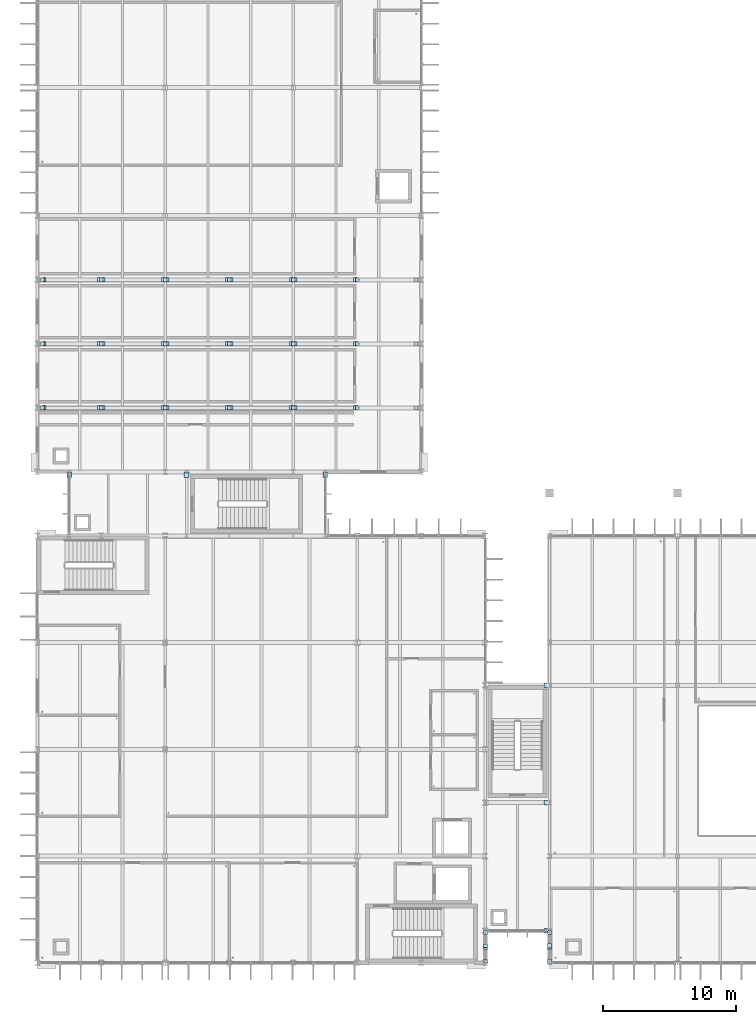
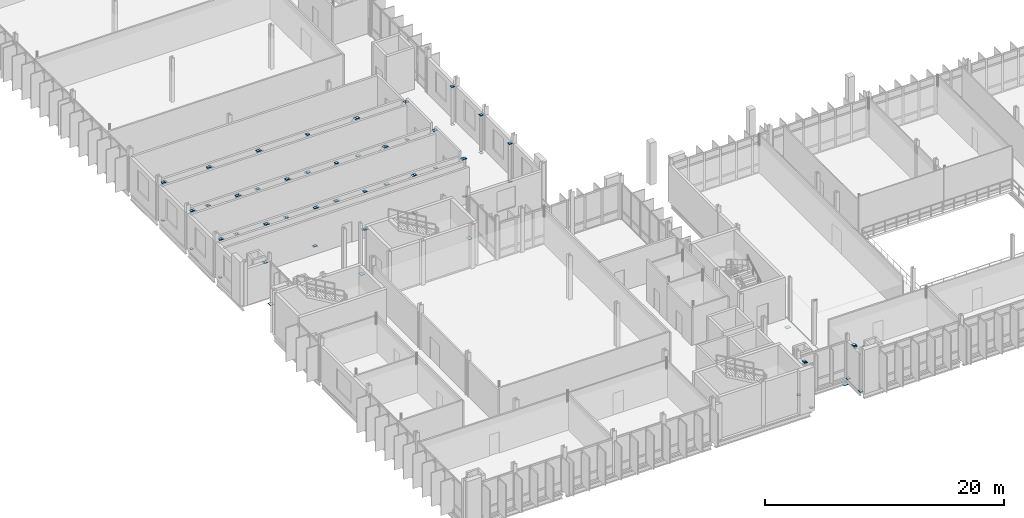
# One storey, part 59 of 110: 86 plates.
"""IFC4 building model written with IfcOpenShell, lengths in metres."""

from ifc_helpers import new_model, si_unit, direction, frame, origin, origin_2d, place, context, subcontext, project, spatial, rectangle, extrude, material, layer, layer_set, type_object, element, save


model = new_model("IFC4")

# Units and contexts
model_context = context("Model", 3, precision=1e-05, world=origin(), true_north=direction((0.0, 1.0)))
body_context = subcontext(model_context, "Body", "Model", "MODEL_VIEW")
ifc_project = project(units=[si_unit("LENGTHUNIT", "METRE"), si_unit("AREAUNIT", "SQUARE_METRE"), si_unit("VOLUMEUNIT", "CUBIC_METRE"), si_unit("PLANEANGLEUNIT", "RADIAN"), si_unit("MASSUNIT", "GRAM", prefix="KILO")], contexts=[model_context])

# Site, building, storey
site_placement = place(None, origin())
site = spatial("IfcSite", under=ifc_project, at=site_placement, CompositionType="ELEMENT")
building_placement = place(site_placement, origin())
building = spatial("IfcBuilding", under=site, at=building_placement, Name="Dunescarp Central Library", CompositionType="ELEMENT")
storey_placement = place(building_placement, frame((0.0, 0.0, 9.60009765625)))
storey = spatial("IfcBuildingStorey", under=building, at=storey_placement, Name="L02", CompositionType="ELEMENT", Elevation=9.60009765625)

# Plates
ifc_material = material(Name="Steel S355J0", Category="steel")
ifc_layer_1 = layer(ifc_material, 0.035888671875)
ifc_layer_set_1 = layer_set([ifc_layer_1], Name="Steel S355J0")
plate_type_1 = type_object("IfcPlateType", Name="STR-PLT-ECP1", PredefinedType="USERDEFINED", material=ifc_layer_set_1)
for number, where, z_axis, x_axis, name in (
    (1, (0.510009765625, 46.39990234375, 3.64404296875), (0.0, 0.0, 1.0), (1.0, 0.0, 0.0), "Truss diagonal end cap ECP-T015"),
    (2, (4.68994140625, 46.39990234375, -0.22998046875), (0.0, 0.0, 1.0), (1.0, 0.0, 0.0), "Truss diagonal end cap ECP-T016"),
    (3, (4.909912109375, 46.39990234375, 3.64404296875), (0.0, 0.0, 1.0), (1.0, 0.0, 0.0), "Truss diagonal end cap ECP-T017"),
    (4, (9.489990234375, 46.39990234375, -0.22998046875), (0.0, 0.0, 1.0), (1.0, 0.0, 0.0), "Truss diagonal end cap ECP-T018"),
    (5, (9.7099609375, 46.39990234375, 3.64404296875), (0.0, 0.0, 1.0), (1.0, 0.0, 0.0), "Truss diagonal end cap ECP-T019"),
    (6, (14.2900390625, 46.39990234375, -0.22998046875), (0.0, 0.0, 1.0), (1.0, 0.0, 0.0), "Truss diagonal end cap ECP-T020"),
    (7, (14.510009765625, 46.39990234375, -0.22998046875), (0.0, 0.0, 1.0), (1.0, 0.0, 0.0), "Truss diagonal end cap ECP-T021"),
    (8, (19.090087890625, 46.39990234375, 3.64404296875), (0.0, 0.0, 1.0), (1.0, 0.0, 0.0), "Truss diagonal end cap ECP-T022"),
    (9, (19.31005859375, 46.39990234375, -0.22998046875), (0.0, 0.0, 1.0), (1.0, 0.0, 0.0), "Truss diagonal end cap ECP-T023"),
    (10, (23.889892578125, 46.39990234375, 3.64404296875), (0.0, 0.0, 1.0), (1.0, 0.0, 0.0), "Truss diagonal end cap ECP-T024"),
    (11, (0.510009765625, 51.199951171875, 3.64404296875), (0.0, 0.0, 1.0), (1.0, 0.0, 0.0), "Truss diagonal end cap ECP-T039"),
    (12, (4.68994140625, 51.199951171875, -0.22998046875), (0.0, 0.0, 1.0), (1.0, 0.0, 0.0), "Truss diagonal end cap ECP-T040"),
    (13, (4.909912109375, 51.199951171875, 3.64404296875), (0.0, 0.0, 1.0), (1.0, 0.0, 0.0), "Truss diagonal end cap ECP-T041"),
    (14, (9.489990234375, 51.199951171875, -0.22998046875), (0.0, 0.0, 1.0), (1.0, 0.0, 0.0), "Truss diagonal end cap ECP-T042"),
    (15, (9.7099609375, 51.199951171875, 3.64404296875), (0.0, 0.0, 1.0), (1.0, 0.0, 0.0), "Truss diagonal end cap ECP-T043"),
    (16, (14.2900390625, 51.199951171875, -0.22998046875), (0.0, 0.0, 1.0), (1.0, 0.0, 0.0), "Truss diagonal end cap ECP-T044"),
    (17, (14.510009765625, 51.199951171875, -0.22998046875), (0.0, 0.0, 1.0), (1.0, 0.0, 0.0), "Truss diagonal end cap ECP-T045"),
    (18, (19.090087890625, 51.199951171875, 3.64404296875), (0.0, 0.0, 1.0), (1.0, 0.0, 0.0), "Truss diagonal end cap ECP-T046"),
    (19, (19.31005859375, 51.199951171875, -0.22998046875), (0.0, 0.0, 1.0), (1.0, 0.0, 0.0), "Truss diagonal end cap ECP-T047"),
    (20, (23.889892578125, 51.199951171875, 3.64404296875), (0.0, 0.0, 1.0), (1.0, 0.0, 0.0), "Truss diagonal end cap ECP-T048"),
    (21, (0.510009765625, 56.0, 3.64404296875), (0.0, 0.0, 1.0), (1.0, 0.0, 0.0), "Truss diagonal end cap ECP-T063"),
    (22, (4.68994140625, 56.0, -0.22998046875), (0.0, 0.0, 1.0), (1.0, 0.0, 0.0), "Truss diagonal end cap ECP-T064"),
    (23, (4.909912109375, 56.0, 3.64404296875), (0.0, 0.0, 1.0), (1.0, 0.0, 0.0), "Truss diagonal end cap ECP-T065"),
    (24, (9.489990234375, 56.0, -0.22998046875), (0.0, 0.0, 1.0), (1.0, 0.0, 0.0), "Truss diagonal end cap ECP-T066"),
    (25, (9.7099609375, 56.0, 3.64404296875), (0.0, 0.0, 1.0), (1.0, 0.0, 0.0), "Truss diagonal end cap ECP-T067"),
    (26, (14.2900390625, 56.0, -0.22998046875), (0.0, 0.0, 1.0), (1.0, 0.0, 0.0), "Truss diagonal end cap ECP-T068"),
    (27, (14.510009765625, 56.0, -0.22998046875), (0.0, 0.0, 1.0), (1.0, 0.0, 0.0), "Truss diagonal end cap ECP-T069"),
    (28, (19.090087890625, 56.0, 3.64404296875), (0.0, 0.0, 1.0), (1.0, 0.0, 0.0), "Truss diagonal end cap ECP-T070"),
    (29, (19.31005859375, 56.0, -0.22998046875), (0.0, 0.0, 1.0), (1.0, 0.0, 0.0), "Truss diagonal end cap ECP-T071"),
    (30, (23.889892578125, 56.0, 3.64404296875), (0.0, 0.0, 1.0), (1.0, 0.0, 0.0), "Truss diagonal end cap ECP-T072"),
):
    element("IfcPlate", number, at=place(storey_placement, frame(where, z_axis=z_axis, x_axis=x_axis)), inside=storey, type_object=plate_type_1, Name=name, ObjectType="GUSSET_PLATE", PredefinedType="USERDEFINED", context=body_context, shape_type="SweptSolid", body=[
        extrude(rectangle(XDim=0.3330078125, YDim=0.3330078125, at=origin_2d()), origin(), (0.0, 0.0, 1.0), 0.035888671875),
    ])
ifc_layer_2 = layer(ifc_material, 0.035888671875)
ifc_layer_set_2 = layer_set([ifc_layer_2], Name="Steel S355J0")
plate_type_2 = type_object("IfcPlateType", Name="STR-PLT-ECP2", PredefinedType="USERDEFINED", material=ifc_layer_set_2)
for number, where, z_axis, x_axis, name in (
    (31, (0.39990234375, 46.39990234375, -0.23291015625), (0.0, 0.0, 1.0), (1.0, 0.0, 0.0), "Truss web end cap ECP-T001"),
    (32, (0.39990234375, 46.39990234375, 3.64697265625), (0.0, 0.0, 1.0), (1.0, 0.0, 0.0), "Truss web end cap ECP-T002"),
    (33, (4.800048828125, 46.39990234375, -0.23291015625), (0.0, 0.0, 1.0), (1.0, 0.0, 0.0), "Truss web end cap ECP-T003"),
    (34, (4.800048828125, 46.39990234375, 3.64697265625), (0.0, 0.0, 1.0), (1.0, 0.0, 0.0), "Truss web end cap ECP-T004"),
    (35, (9.60009765625, 46.39990234375, -0.23291015625), (0.0, 0.0, 1.0), (1.0, 0.0, 0.0), "Truss web end cap ECP-T005"),
    (36, (9.60009765625, 46.39990234375, 3.64697265625), (0.0, 0.0, 1.0), (1.0, 0.0, 0.0), "Truss web end cap ECP-T006"),
    (37, (14.39990234375, 46.39990234375, -0.23291015625), (0.0, 0.0, 1.0), (1.0, 0.0, 0.0), "Truss web end cap ECP-T007"),
    (38, (14.39990234375, 46.39990234375, 3.64697265625), (0.0, 0.0, 1.0), (1.0, 0.0, 0.0), "Truss web end cap ECP-T008"),
    (39, (19.199951171875, 46.39990234375, -0.23291015625), (0.0, 0.0, 1.0), (1.0, 0.0, 0.0), "Truss web end cap ECP-T009"),
    (40, (19.199951171875, 46.39990234375, 3.64697265625), (0.0, 0.0, 1.0), (1.0, 0.0, 0.0), "Truss web end cap ECP-T010"),
    (41, (24.0, 46.39990234375, -0.23291015625), (0.0, 0.0, 1.0), (1.0, 0.0, 0.0), "Truss web end cap ECP-T011"),
    (42, (24.0, 46.39990234375, 3.64697265625), (0.0, 0.0, 1.0), (1.0, 0.0, 0.0), "Truss web end cap ECP-T012"),
    (43, (28.39990234375, 46.39990234375, -0.23291015625), (0.0, 0.0, 1.0), (1.0, 0.0, 0.0), "Truss web end cap ECP-T013"),
    (44, (28.39990234375, 46.39990234375, 3.64697265625), (0.0, 0.0, 1.0), (1.0, 0.0, 0.0), "Truss web end cap ECP-T014"),
    (45, (0.39990234375, 51.199951171875, -0.23291015625), (0.0, 0.0, 1.0), (1.0, 0.0, 0.0), "Truss web end cap ECP-T025"),
    (46, (0.39990234375, 51.199951171875, 3.64697265625), (0.0, 0.0, 1.0), (1.0, 0.0, 0.0), "Truss web end cap ECP-T026"),
    (47, (4.800048828125, 51.199951171875, -0.23291015625), (0.0, 0.0, 1.0), (1.0, 0.0, 0.0), "Truss web end cap ECP-T027"),
    (48, (4.800048828125, 51.199951171875, 3.64697265625), (0.0, 0.0, 1.0), (1.0, 0.0, 0.0), "Truss web end cap ECP-T028"),
    (49, (9.60009765625, 51.199951171875, -0.23291015625), (0.0, 0.0, 1.0), (1.0, 0.0, 0.0), "Truss web end cap ECP-T029"),
    (50, (9.60009765625, 51.199951171875, 3.64697265625), (0.0, 0.0, 1.0), (1.0, 0.0, 0.0), "Truss web end cap ECP-T030"),
    (51, (14.39990234375, 51.199951171875, -0.23291015625), (0.0, 0.0, 1.0), (1.0, 0.0, 0.0), "Truss web end cap ECP-T031"),
    (52, (14.39990234375, 51.199951171875, 3.64697265625), (0.0, 0.0, 1.0), (1.0, 0.0, 0.0), "Truss web end cap ECP-T032"),
    (53, (19.199951171875, 51.199951171875, -0.23291015625), (0.0, 0.0, 1.0), (1.0, 0.0, 0.0), "Truss web end cap ECP-T033"),
    (54, (19.199951171875, 51.199951171875, 3.64697265625), (0.0, 0.0, 1.0), (1.0, 0.0, 0.0), "Truss web end cap ECP-T034"),
    (55, (24.0, 51.199951171875, -0.23291015625), (0.0, 0.0, 1.0), (1.0, 0.0, 0.0), "Truss web end cap ECP-T035"),
    (56, (24.0, 51.199951171875, 3.64697265625), (0.0, 0.0, 1.0), (1.0, 0.0, 0.0), "Truss web end cap ECP-T036"),
    (57, (28.39990234375, 51.199951171875, -0.23291015625), (0.0, 0.0, 1.0), (1.0, 0.0, 0.0), "Truss web end cap ECP-T037"),
    (58, (28.39990234375, 51.199951171875, 3.64697265625), (0.0, 0.0, 1.0), (1.0, 0.0, 0.0), "Truss web end cap ECP-T038"),
    (59, (0.39990234375, 56.0, -0.23291015625), (0.0, 0.0, 1.0), (1.0, 0.0, 0.0), "Truss web end cap ECP-T049"),
    (60, (0.39990234375, 56.0, 3.64697265625), (0.0, 0.0, 1.0), (1.0, 0.0, 0.0), "Truss web end cap ECP-T050"),
    (61, (4.800048828125, 56.0, -0.23291015625), (0.0, 0.0, 1.0), (1.0, 0.0, 0.0), "Truss web end cap ECP-T051"),
    (62, (4.800048828125, 56.0, 3.64697265625), (0.0, 0.0, 1.0), (1.0, 0.0, 0.0), "Truss web end cap ECP-T052"),
    (63, (9.60009765625, 56.0, -0.23291015625), (0.0, 0.0, 1.0), (1.0, 0.0, 0.0), "Truss web end cap ECP-T053"),
    (64, (9.60009765625, 56.0, 3.64697265625), (0.0, 0.0, 1.0), (1.0, 0.0, 0.0), "Truss web end cap ECP-T054"),
    (65, (14.39990234375, 56.0, -0.23291015625), (0.0, 0.0, 1.0), (1.0, 0.0, 0.0), "Truss web end cap ECP-T055"),
    (66, (14.39990234375, 56.0, 3.64697265625), (0.0, 0.0, 1.0), (1.0, 0.0, 0.0), "Truss web end cap ECP-T056"),
    (67, (19.199951171875, 56.0, -0.23291015625), (0.0, 0.0, 1.0), (1.0, 0.0, 0.0), "Truss web end cap ECP-T057"),
    (68, (19.199951171875, 56.0, 3.64697265625), (0.0, 0.0, 1.0), (1.0, 0.0, 0.0), "Truss web end cap ECP-T058"),
    (69, (24.0, 56.0, -0.23291015625), (0.0, 0.0, 1.0), (1.0, 0.0, 0.0), "Truss web end cap ECP-T059"),
    (70, (24.0, 56.0, 3.64697265625), (0.0, 0.0, 1.0), (1.0, 0.0, 0.0), "Truss web end cap ECP-T060"),
    (71, (28.39990234375, 56.0, -0.23291015625), (0.0, 0.0, 1.0), (1.0, 0.0, 0.0), "Truss web end cap ECP-T061"),
    (72, (28.39990234375, 56.0, 3.64697265625), (0.0, 0.0, 1.0), (1.0, 0.0, 0.0), "Truss web end cap ECP-T062"),
):
    element("IfcPlate", number, at=place(storey_placement, frame(where, z_axis=z_axis, x_axis=x_axis)), inside=storey, type_object=plate_type_2, Name=name, ObjectType="GUSSET_PLATE", PredefinedType="USERDEFINED", context=body_context, shape_type="SweptSolid", body=[
        extrude(rectangle(XDim=0.279052734375, YDim=0.279052734375, at=origin_2d()), origin(), (0.0, 0.0, 1.0), 0.035888671875),
    ])
ifc_layer_3 = layer(ifc_material, 0.02001953125)
ifc_layer_set_3 = layer_set([ifc_layer_3], Name="Steel S355J0")
plate_type_3 = type_object("IfcPlateType", Name="STR-PLT-GUS1", PredefinedType="USERDEFINED", material=ifc_layer_set_3)
for number, where, z_axis, x_axis, name in (
    (73, (33.60009765625, 4.919921875, -0.01806640625), (0.0, 0.0, 1.0), (1.0, 0.0, 0.0), "Brace foot gusset plate GP-009"),
    (74, (33.60009765625, 7.080078125, -0.01806640625), (0.0, 0.0, 1.0), (1.0, 0.0, 0.0), "Brace foot gusset plate GP-011"),
):
    element("IfcPlate", number, at=place(storey_placement, frame(where, z_axis=z_axis, x_axis=x_axis)), inside=storey, type_object=plate_type_3, Name=name, ObjectType="GUSSET_PLATE", PredefinedType="USERDEFINED", context=body_context, shape_type="SweptSolid", body=[
        extrude(rectangle(XDim=0.279052734375, YDim=0.279052734375, at=origin_2d()), origin(), (0.0, 0.0, 1.0), 0.035888671875),
    ])
for number, where, z_axis, x_axis, name in (
    (75, (38.39990234375, 4.919921875, -0.01806640625), (0.0, 0.0, 1.0), (1.0, 0.0, 0.0), "Brace foot gusset plate GP-033"),
    (76, (38.39990234375, 7.080078125, -0.01806640625), (0.0, 0.0, 1.0), (1.0, 0.0, 0.0), "Brace foot gusset plate GP-035"),
):
    element("IfcPlate", number, at=place(storey_placement, frame(where, z_axis=z_axis, x_axis=x_axis)), inside=storey, type_object=plate_type_3, Name=name, ObjectType="GUSSET_PLATE", PredefinedType="USERDEFINED", context=body_context, shape_type="SweptSolid", body=[
        extrude(rectangle(XDim=0.303955078125, YDim=0.303955078125, at=origin_2d()), origin(), (0.0, 0.0, 1.0), 0.035888671875),
    ])
ifc_layer_4 = layer(ifc_material, 0.01611328125)
ifc_layer_set_4 = layer_set([ifc_layer_4], Name="Steel S355J0")
plate_type_4 = type_object("IfcPlateType", Name="STR-PLT-GUS2", PredefinedType="USERDEFINED", material=ifc_layer_set_4)
for number, where, z_axis, x_axis, name in (
    (77, (33.60009765625, 5.919921875, 4.001953125), (0.0, 0.0, 1.0), (1.0, 0.0, 0.0), "Brace apex gusset plate GP-010"),
    (78, (33.60009765625, 6.080078125, 4.001953125), (0.0, 0.0, 1.0), (1.0, 0.0, 0.0), "Brace apex gusset plate GP-012"),
):
    element("IfcPlate", number, at=place(storey_placement, frame(where, z_axis=z_axis, x_axis=x_axis)), inside=storey, type_object=plate_type_4, Name=name, ObjectType="GUSSET_PLATE", PredefinedType="USERDEFINED", context=body_context, shape_type="SweptSolid", body=[
        extrude(rectangle(XDim=0.279052734375, YDim=0.279052734375, at=origin_2d()), origin(), (0.0, 0.0, 1.0), 0.035888671875),
    ])
for number, where, z_axis, x_axis, name in (
    (79, (38.39990234375, 5.919921875, 4.001953125), (0.0, 0.0, 1.0), (1.0, 0.0, 0.0), "Brace apex gusset plate GP-034"),
    (80, (38.39990234375, 6.080078125, 4.001953125), (0.0, 0.0, 1.0), (1.0, 0.0, 0.0), "Brace apex gusset plate GP-036"),
):
    element("IfcPlate", number, at=place(storey_placement, frame(where, z_axis=z_axis, x_axis=x_axis)), inside=storey, type_object=plate_type_4, Name=name, ObjectType="GUSSET_PLATE", PredefinedType="USERDEFINED", context=body_context, shape_type="SweptSolid", body=[
        extrude(rectangle(XDim=0.303955078125, YDim=0.303955078125, at=origin_2d()), origin(), (0.0, 0.0, 1.0), 0.035888671875),
    ])
ifc_layer_5 = layer(ifc_material, 0.0400390625)
ifc_layer_set_5 = layer_set([ifc_layer_5], Name="Steel S355J0")
plate_type_5 = type_object("IfcPlateType", Name="STR-PLT-SEAT420", PredefinedType="USERDEFINED", material=ifc_layer_set_5)
for number, where, z_axis, x_axis, name in (
    (81, (38.18994140625, 7.199951171875, -0.64013671875), (0.0, 0.0, 1.0), (1.0, 0.0, 0.0), "L02 GL1 420 mm sliding link bearing seat BRG-01"),
    (82, (38.18994140625, 16.800048828125, -0.64013671875), (0.0, 0.0, 1.0), (1.0, 0.0, 0.0), "L02 GL1 420 mm sliding link bearing seat BRG-01"),
    (83, (38.18994140625, 25.60009765625, -0.64013671875), (0.0, 0.0, 1.0), (1.0, 0.0, 0.0), "L02 GL1 420 mm sliding link bearing seat BRG-01"),
    (84, (2.39990234375, 41.389892578125, -0.64013671875), (0.0, 0.0, 1.0), (0.0, 1.0, 0.0), "L02 GL4 420 mm sliding link bearing seat BRG-04"),
    (85, (11.199951171875, 41.389892578125, -0.64013671875), (0.0, 0.0, 1.0), (0.0, 1.0, 0.0), "L02 GL4 420 mm sliding link bearing seat BRG-04"),
    (86, (21.60009765625, 41.389892578125, -0.64013671875), (0.0, 0.0, 1.0), (0.0, 1.0, 0.0), "L02 GL4 420 mm sliding link bearing seat BRG-04"),
):
    element("IfcPlate", number, at=place(storey_placement, frame(where, z_axis=z_axis, x_axis=x_axis)), inside=storey, type_object=plate_type_5, Name=name, ObjectType="BASE_PLATE", PredefinedType="USERDEFINED", context=body_context, shape_type="SweptSolid", body=[
        extrude(rectangle(XDim=0.419921875, YDim=0.360107421875, at=origin_2d()), origin(), (0.0, 0.0, 1.0), 0.0400390625),
    ])

save(model, "model.ifc")
